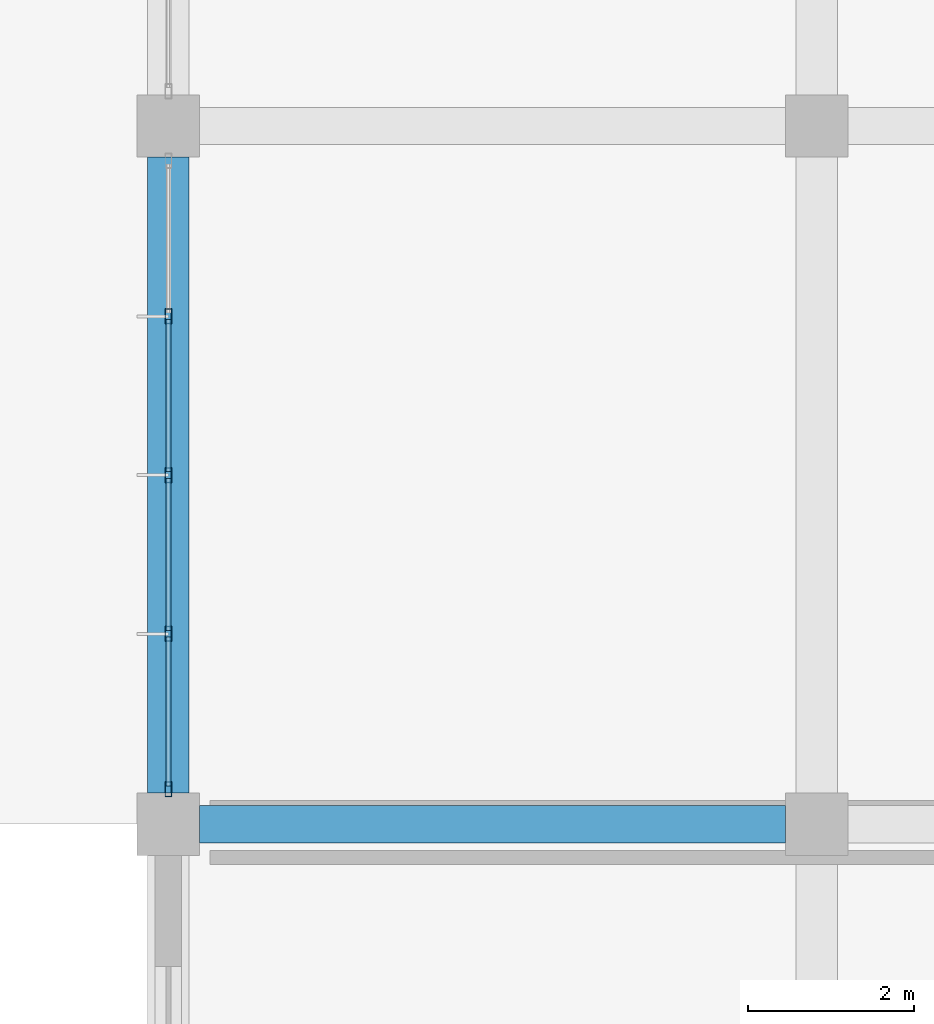
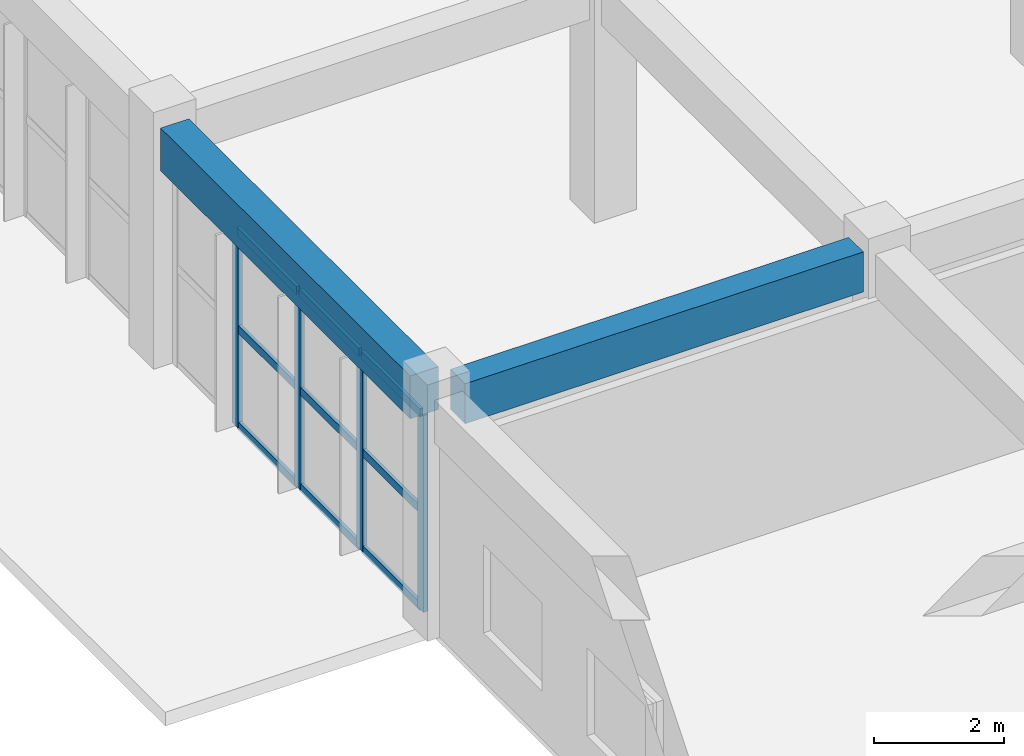
# One storey, part 12 of 175: 13 members, 2 beams, 1 element without a shape of its own.
"""IFC4 building model written with IfcOpenShell, lengths in metres."""

from ifc_helpers import new_model, si_unit, direction, frame, origin, origin_2d, place, context, subcontext, project, spatial, rectangle, hollow_rectangle, extrude, material, layer, layer_set, material_profile, profile_set, type_object, element, aggregate, save


model = new_model("IFC4")

# Units and contexts
model_context = context("Model", 3, precision=1e-05, world=origin(), true_north=direction((0.0, 1.0)))
body_context = subcontext(model_context, "Body", "Model", "MODEL_VIEW")
ifc_project = project(units=[si_unit("LENGTHUNIT", "METRE"), si_unit("AREAUNIT", "SQUARE_METRE"), si_unit("VOLUMEUNIT", "CUBIC_METRE"), si_unit("PLANEANGLEUNIT", "RADIAN"), si_unit("MASSUNIT", "GRAM", prefix="KILO")], contexts=[model_context])

# Site, building, storey
site_placement = place(None, origin())
site = spatial("IfcSite", under=ifc_project, at=site_placement, CompositionType="ELEMENT")
building_placement = place(site_placement, origin())
building = spatial("IfcBuilding", under=site, at=building_placement, Name="Zizhar Promenade General Hospital", CompositionType="ELEMENT")
storey_placement = place(building_placement, frame((0.0, 0.0, 4.800048828125)))
storey = spatial("IfcBuildingStorey", under=building, at=storey_placement, Name="L01", CompositionType="ELEMENT", Elevation=4.800048828125)

# Beams
ifc_material_1 = material(Name="Concrete C35/45", Category="concrete")
ifc_material_profile_1 = material_profile(ifc_material_1, rectangle(XDim=0.449951171875, YDim=0.75, at=origin_2d()))
ifc_profile_set_1 = profile_set([ifc_material_profile_1], Name="Concrete C35/45")
beam_type_1 = type_object("IfcBeamType", Name="BM-RC-450x750", PredefinedType="BEAM", material=ifc_profile_set_1)
beam_1_placement = place(storey_placement, frame((0.375, 25.199951171875, 4.094970703125), z_axis=(1.0, 0.0, 0.0), x_axis=(0.0, 1.0, 0.0)))
element("IfcBeam", 1, at=beam_1_placement, inside=storey, type_object=beam_type_1, Name="Grid Beam X L01 (0-3)", PredefinedType="BEAM", context=body_context, shape_type="SweptSolid", body=[
    extrude(rectangle(XDim=0.449951171875, YDim=0.75, at=origin_2d()), origin(), (0.0, 0.0, 1.0), 7.050048828125),
])
ifc_material_2 = material(Name="Concrete C35/45", Category="concrete")
ifc_material_profile_2 = material_profile(ifc_material_2, rectangle(XDim=0.5, YDim=0.800048828125, at=origin_2d()))
ifc_profile_set_2 = profile_set([ifc_material_profile_2], Name="Concrete C35/45")
beam_type_2 = type_object("IfcBeamType", Name="BM-RC-500x800", PredefinedType="BEAM", material=ifc_profile_set_2)
beam_2_placement = place(storey_placement, frame((0.0, 25.574951171875, 4.070068359375), z_axis=(0.0, 1.0, 0.0), x_axis=(-1.0, 0.0, 0.0)))
element("IfcBeam", 2, at=beam_2_placement, inside=storey, type_object=beam_type_2, Name="Grid Beam Y L01 (0-3)", PredefinedType="BEAM", context=body_context, shape_type="SweptSolid", body=[
    extrude(rectangle(XDim=0.5, YDim=0.800048828125, at=origin_2d()), origin(), (0.0, 0.0, 1.0), 7.650146484375),
])

# Curtain wall, members
ifc_material_3 = material(Name="Anodised aluminium 6063-T6 and low-E glass", Category="aluminium")
ifc_layer = layer(ifc_material_3, 0.159912109375)
ifc_layer_set = layer_set([ifc_layer], Name="Anodised aluminium 6063-T6 and low-E glass")
curtain_wall_type = type_object("IfcCurtainWallType", Name="CW-ED-FRONT", PredefinedType="NOTDEFINED", material=ifc_layer_set)
curtain_wall_placement = place(storey_placement, origin())
curtain_wall = element("IfcCurtainWall", 3, at=curtain_wall_placement, inside=storey, type_object=curtain_wall_type, Name="West Diagnostic Arm Glazed Curtain Wall L01-W3", PredefinedType="NOTDEFINED")
ifc_material_4 = material(Name="Anodised aluminium 6063-T6", Category="aluminium")
ifc_material_profile_3 = material_profile(ifc_material_4, hollow_rectangle(XDim=0.080078125, YDim=0.179931640625, WallThickness=0.0048828125, at=origin_2d()))
ifc_profile_set_3 = profile_set([ifc_material_profile_3], Name="Anodised aluminium 6063-T6")
member_type_1 = type_object("IfcMemberType", Name="CWM-ALU-180x80", PredefinedType="MULLION", material=ifc_profile_set_3)
member_1_placement = place(storey_placement, frame((0.0, 25.6201171875, 0.0), z_axis=(0.0, 0.0, 1.0), x_axis=(-1.0, 0.0, 0.0)))
member_1 = element("IfcMember", 4, at=member_1_placement, type_object=member_type_1, Name="CW-06 mullion 1", PredefinedType="MULLION", context=body_context, shape_type="SweptSolid", body=[
    extrude(hollow_rectangle(XDim=0.080078125, YDim=0.179931640625, WallThickness=0.0048828125, at=origin_2d()), origin(), (0.0, 0.0, 1.0), 3.679931640625),
])
member_2_placement = place(storey_placement, frame((0.0, 27.489990234375, 0.0), z_axis=(0.0, 0.0, 1.0), x_axis=(-1.0, 0.0, 0.0)))
member_2 = element("IfcMember", 5, at=member_2_placement, type_object=member_type_1, Name="CW-06 mullion 2", PredefinedType="MULLION", context=body_context, shape_type="SweptSolid", body=[
    extrude(hollow_rectangle(XDim=0.080078125, YDim=0.179931640625, WallThickness=0.0048828125, at=origin_2d()), origin(), (0.0, 0.0, 1.0), 3.679931640625),
])
member_3_placement = place(storey_placement, frame((0.0, 29.39990234375, 0.0), z_axis=(0.0, 0.0, 1.0), x_axis=(-1.0, 0.0, 0.0)))
member_3 = element("IfcMember", 6, at=member_3_placement, type_object=member_type_1, Name="CW-06 mullion 3", PredefinedType="MULLION", context=body_context, shape_type="SweptSolid", body=[
    extrude(hollow_rectangle(XDim=0.080078125, YDim=0.179931640625, WallThickness=0.0048828125, at=origin_2d()), origin(), (0.0, 0.0, 1.0), 3.679931640625),
])
member_4_placement = place(storey_placement, frame((0.0, 31.31005859375, 0.0), z_axis=(0.0, 0.0, 1.0), x_axis=(-1.0, 0.0, 0.0)))
member_4 = element("IfcMember", 7, at=member_4_placement, type_object=member_type_1, Name="CW-06 mullion 4", PredefinedType="MULLION", context=body_context, shape_type="SweptSolid", body=[
    extrude(hollow_rectangle(XDim=0.080078125, YDim=0.179931640625, WallThickness=0.0048828125, at=origin_2d()), origin(), (0.0, 0.0, 1.0), 3.679931640625),
])
ifc_material_5 = material(Name="Anodised aluminium 6063-T6", Category="aluminium")
ifc_material_profile_4 = material_profile(ifc_material_5, hollow_rectangle(XDim=0.06005859375, YDim=0.14990234375, WallThickness=0.00390625, at=origin_2d()))
ifc_profile_set_4 = profile_set([ifc_material_profile_4], Name="Anodised aluminium 6063-T6")
member_type_2 = type_object("IfcMemberType", Name="CWT-ALU-150x60", PredefinedType="USERDEFINED", material=ifc_profile_set_4)
member_5_placement = place(storey_placement, frame((0.0, 25.659912109375, 0.030029296875), z_axis=(0.0, 1.0, 0.0), x_axis=(-1.0, 0.0, 0.0)))
member_5 = element("IfcMember", 8, at=member_5_placement, type_object=member_type_2, Name="CW-06 transom 1.1", ObjectType="TRANSOM", PredefinedType="USERDEFINED", context=body_context, shape_type="SweptSolid", body=[
    extrude(hollow_rectangle(XDim=0.06005859375, YDim=0.14990234375, WallThickness=0.00390625, at=origin_2d()), origin(), (0.0, 0.0, 1.0), 1.7900390625),
])
member_6_placement = place(storey_placement, frame((0.0, 25.659912109375, 1.83984375), z_axis=(0.0, 1.0, 0.0), x_axis=(-1.0, 0.0, 0.0)))
member_6 = element("IfcMember", 9, at=member_6_placement, type_object=member_type_2, Name="CW-06 transom 1.2", ObjectType="TRANSOM", PredefinedType="USERDEFINED", context=body_context, shape_type="SweptSolid", body=[
    extrude(hollow_rectangle(XDim=0.06005859375, YDim=0.14990234375, WallThickness=0.00390625, at=origin_2d()), origin(), (0.0, 0.0, 1.0), 1.7900390625),
])
member_7_placement = place(storey_placement, frame((0.0, 25.659912109375, 3.64990234375), z_axis=(0.0, 1.0, 0.0), x_axis=(-1.0, 0.0, 0.0)))
member_7 = element("IfcMember", 10, at=member_7_placement, type_object=member_type_2, Name="CW-06 transom 1.3", ObjectType="TRANSOM", PredefinedType="USERDEFINED", context=body_context, shape_type="SweptSolid", body=[
    extrude(hollow_rectangle(XDim=0.06005859375, YDim=0.14990234375, WallThickness=0.00390625, at=origin_2d()), origin(), (0.0, 0.0, 1.0), 1.7900390625),
])
member_8_placement = place(storey_placement, frame((0.0, 27.530029296875, 0.030029296875), z_axis=(0.0, 1.0, 0.0), x_axis=(-1.0, 0.0, 0.0)))
member_8 = element("IfcMember", 11, at=member_8_placement, type_object=member_type_2, Name="CW-06 transom 2.1", ObjectType="TRANSOM", PredefinedType="USERDEFINED", context=body_context, shape_type="SweptSolid", body=[
    extrude(hollow_rectangle(XDim=0.06005859375, YDim=0.14990234375, WallThickness=0.00390625, at=origin_2d()), origin(), (0.0, 0.0, 1.0), 1.830078125),
])
member_9_placement = place(storey_placement, frame((0.0, 27.530029296875, 1.83984375), z_axis=(0.0, 1.0, 0.0), x_axis=(-1.0, 0.0, 0.0)))
member_9 = element("IfcMember", 12, at=member_9_placement, type_object=member_type_2, Name="CW-06 transom 2.2", ObjectType="TRANSOM", PredefinedType="USERDEFINED", context=body_context, shape_type="SweptSolid", body=[
    extrude(hollow_rectangle(XDim=0.06005859375, YDim=0.14990234375, WallThickness=0.00390625, at=origin_2d()), origin(), (0.0, 0.0, 1.0), 1.830078125),
])
member_10_placement = place(storey_placement, frame((0.0, 27.530029296875, 3.64990234375), z_axis=(0.0, 1.0, 0.0), x_axis=(-1.0, 0.0, 0.0)))
member_10 = element("IfcMember", 13, at=member_10_placement, type_object=member_type_2, Name="CW-06 transom 2.3", ObjectType="TRANSOM", PredefinedType="USERDEFINED", context=body_context, shape_type="SweptSolid", body=[
    extrude(hollow_rectangle(XDim=0.06005859375, YDim=0.14990234375, WallThickness=0.00390625, at=origin_2d()), origin(), (0.0, 0.0, 1.0), 1.830078125),
])
member_11_placement = place(storey_placement, frame((0.0, 29.43994140625, 0.030029296875), z_axis=(0.0, 1.0, 0.0), x_axis=(-1.0, 0.0, 0.0)))
member_11 = element("IfcMember", 14, at=member_11_placement, type_object=member_type_2, Name="CW-06 transom 3.1", ObjectType="TRANSOM", PredefinedType="USERDEFINED", context=body_context, shape_type="SweptSolid", body=[
    extrude(hollow_rectangle(XDim=0.06005859375, YDim=0.14990234375, WallThickness=0.00390625, at=origin_2d()), origin(), (0.0, 0.0, 1.0), 1.830078125),
])
member_12_placement = place(storey_placement, frame((0.0, 29.43994140625, 1.83984375), z_axis=(0.0, 1.0, 0.0), x_axis=(-1.0, 0.0, 0.0)))
member_12 = element("IfcMember", 15, at=member_12_placement, type_object=member_type_2, Name="CW-06 transom 3.2", ObjectType="TRANSOM", PredefinedType="USERDEFINED", context=body_context, shape_type="SweptSolid", body=[
    extrude(hollow_rectangle(XDim=0.06005859375, YDim=0.14990234375, WallThickness=0.00390625, at=origin_2d()), origin(), (0.0, 0.0, 1.0), 1.830078125),
])
member_13_placement = place(storey_placement, frame((0.0, 29.43994140625, 3.64990234375), z_axis=(0.0, 1.0, 0.0), x_axis=(-1.0, 0.0, 0.0)))
member_13 = element("IfcMember", 16, at=member_13_placement, type_object=member_type_2, Name="CW-06 transom 3.3", ObjectType="TRANSOM", PredefinedType="USERDEFINED", context=body_context, shape_type="SweptSolid", body=[
    extrude(hollow_rectangle(XDim=0.06005859375, YDim=0.14990234375, WallThickness=0.00390625, at=origin_2d()), origin(), (0.0, 0.0, 1.0), 1.830078125),
])
aggregate(curtain_wall, [member_1, member_2, member_3, member_4, member_5, member_6, member_7, member_8, member_9, member_10, member_11, member_12, member_13])

save(model, "model.ifc")
